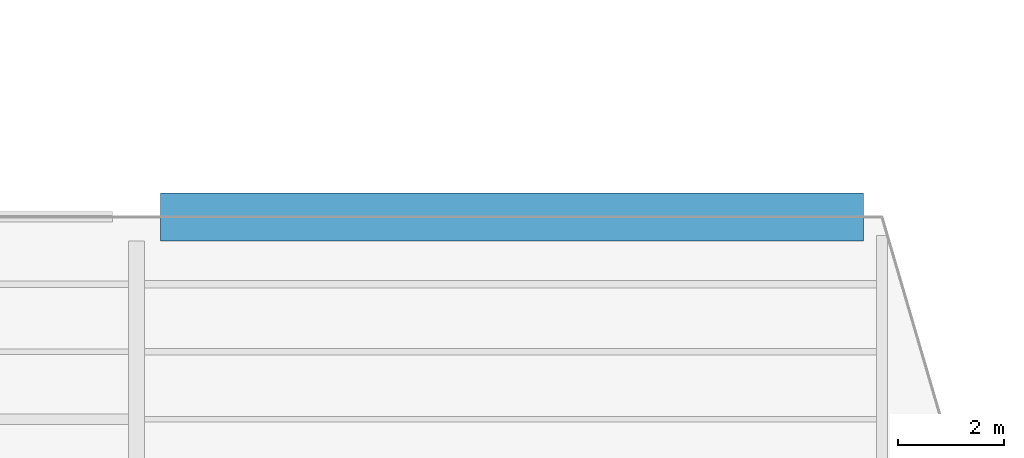
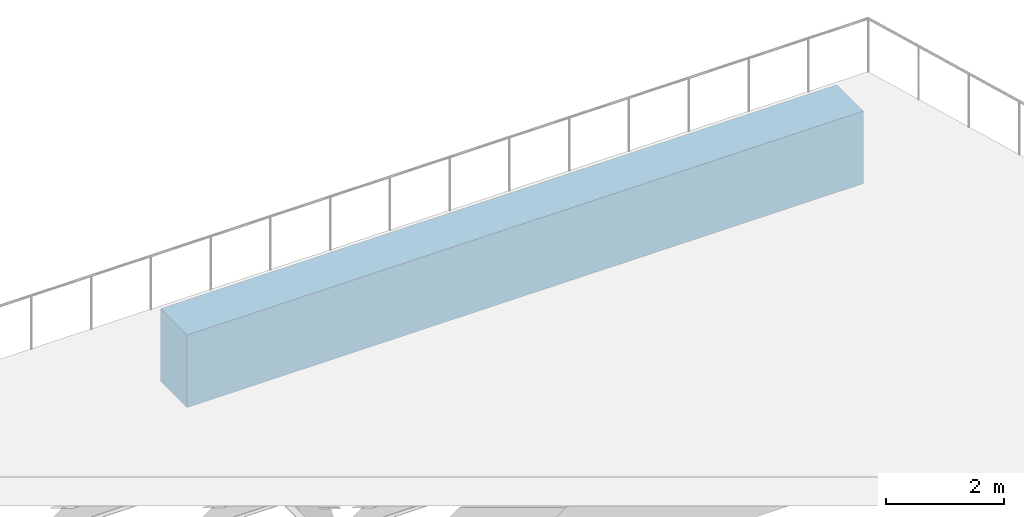
# One storey, part 36 of 135: 1 beam.
"""IFC4 building model written with IfcOpenShell, lengths in metres."""

from ifc_helpers import new_model, si_unit, direction, frame, origin, origin_2d, place, context, subcontext, project, spatial, rectangle, extrude, material, material_profile, profile_set, type_object, element, save


model = new_model("IFC4")

# Units and contexts
model_context = context("Model", 3, precision=1e-05, world=origin(), true_north=direction((0.0, 1.0)))
body_context = subcontext(model_context, "Body", "Model", "MODEL_VIEW")
ifc_project = project(units=[si_unit("LENGTHUNIT", "METRE"), si_unit("AREAUNIT", "SQUARE_METRE"), si_unit("VOLUMEUNIT", "CUBIC_METRE"), si_unit("PLANEANGLEUNIT", "RADIAN"), si_unit("MASSUNIT", "GRAM", prefix="KILO")], contexts=[model_context])

# Site, building, storey
site_placement = place(None, origin())
site = spatial("IfcSite", under=ifc_project, at=site_placement, CompositionType="ELEMENT")
building_placement = place(site_placement, origin())
building = spatial("IfcBuilding", under=site, at=building_placement, Name="Larkvane Passage Sports Hall", CompositionType="ELEMENT")
storey_placement = place(building_placement, frame((0.0, 0.0, 10.800048828125)))
storey = spatial("IfcBuildingStorey", under=building, at=storey_placement, Name="L02", CompositionType="ELEMENT", Elevation=10.800048828125)

# Beam
ifc_material = material(Name="Concrete C50/60", Category="concrete")
ifc_material_profile = material_profile(ifc_material, rectangle(XDim=0.89990234375, YDim=1.5, at=origin_2d()), Name="PT-GIR-900x1500")
ifc_profile_set = profile_set([ifc_material_profile], Name="Concrete C50/60")
beam_type = type_object("IfcBeamType", Name="PTG-900x1500", PredefinedType="BEAM", material=ifc_profile_set)
beam_placement = place(storey_placement, frame((132.050048828125, 99.199951171875, -1.170166015625), z_axis=(1.0, 0.0, 0.0), x_axis=(0.0, 1.0, 0.0)))
element("IfcBeam", 1, at=beam_placement, inside=storey, type_object=beam_type, Name="Post-tensioned transfer girder BM5-X-L02-M-0736", PredefinedType="BEAM", context=body_context, shape_type="SweptSolid", body=[
    extrude(rectangle(XDim=0.89990234375, YDim=1.5, at=origin_2d()), origin(), (0.0, 0.0, 1.0), 13.199951171875),
])

save(model, "model.ifc")
